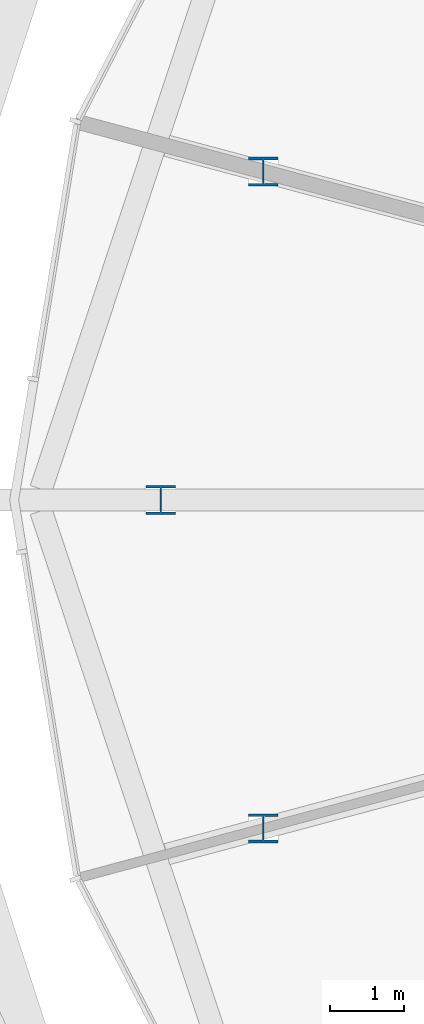
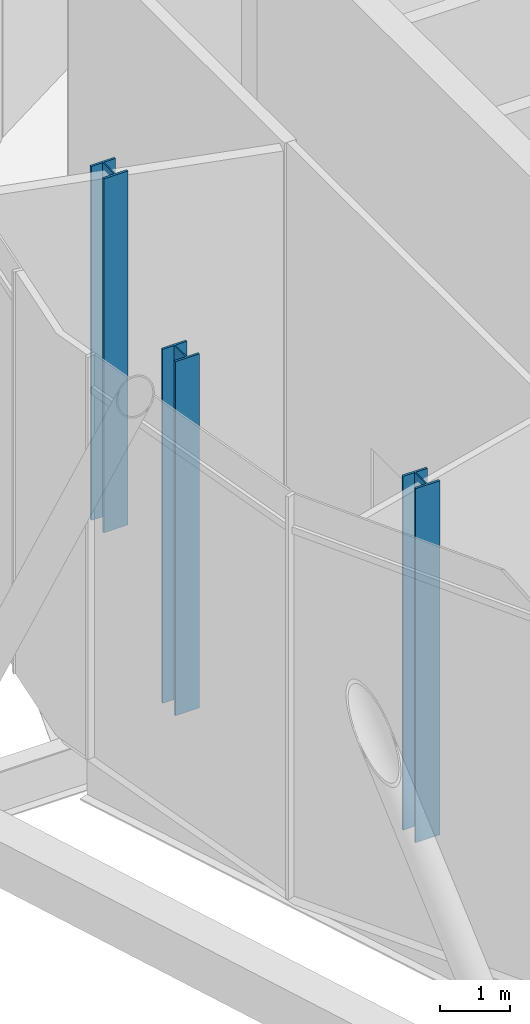
# One storey, part 1 of 28: 3 columns.
"""IFC4 building model written with IfcOpenShell, lengths in metres."""

from ifc_helpers import new_model, si_unit, direction, frame, origin, origin_2d, place, context, subcontext, project, spatial, i_section, extrude, material, material_profile, profile_set, type_object, element, save


model = new_model("IFC4")

# Units and contexts
model_context = context("Model", 3, precision=1e-05, world=origin(), true_north=direction((0.0, 1.0)))
body_context = subcontext(model_context, "Body", "Model", "MODEL_VIEW")
ifc_project = project(units=[si_unit("LENGTHUNIT", "METRE"), si_unit("AREAUNIT", "SQUARE_METRE"), si_unit("VOLUMEUNIT", "CUBIC_METRE"), si_unit("PLANEANGLEUNIT", "RADIAN"), si_unit("MASSUNIT", "GRAM", prefix="KILO")], contexts=[model_context])

# Site, building, storey
site_placement = place(None, origin())
site = spatial("IfcSite", under=ifc_project, at=site_placement, CompositionType="ELEMENT")
building_placement = place(site_placement, origin())
building = spatial("IfcBuilding", under=site, at=building_placement, Name="Rimbun Link Towers", CompositionType="ELEMENT")
storey_placement = place(building_placement, frame((0.0, 0.0, 256.10009765625)))
storey = spatial("IfcBuildingStorey", under=building, at=storey_placement, Name="L63", CompositionType="ELEMENT", Elevation=256.10009765625)

# Columns
ifc_material = material(Name="Steel S355J2", Category="steel")
ifc_material_profile = material_profile(ifc_material, i_section(OverallWidth=0.39892578125, OverallDepth=0.3935546875, WebThickness=0.022705078125, FlangeThickness=0.03662109375, at=origin_2d()), Name="UC 356x406x287")
ifc_profile_set = profile_set([ifc_material_profile], Name="Steel S355J2")
column_type = type_object("IfcColumnType", Name="UC 356x406x287", PredefinedType="COLUMN", material=ifc_profile_set)
for number, where, z_axis, x_axis, name in (
    (1, (-48.33447265625, 4.44384765625, -0.18017578125), (0.0, 0.0, 1.0), (1.0, 0.0, 0.0), "Crease post T1 L63 11"),
    (2, (-49.724365234375, 0.0, -0.18017578125), (0.0, 0.0, 1.0), (1.0, 0.0, 0.0), "Crease post T1 L63 12"),
    (3, (-48.33447265625, -4.44384765625, -0.18017578125), (0.0, 0.0, 1.0), (1.0, 0.0, 0.0), "Crease post T1 L63 13"),
):
    element("IfcColumn", number, at=place(storey_placement, frame(where, z_axis=z_axis, x_axis=x_axis)), inside=storey, type_object=column_type, Name=name, PredefinedType="COLUMN", context=body_context, shape_type="SweptSolid", body=[
        extrude(i_section(OverallWidth=0.39892578125, OverallDepth=0.3935546875, WebThickness=0.022705078125, FlangeThickness=0.03662109375, at=origin_2d()), origin(), (0.0, 0.0, 1.0), 6.159423828125),
    ])

save(model, "model.ifc")
